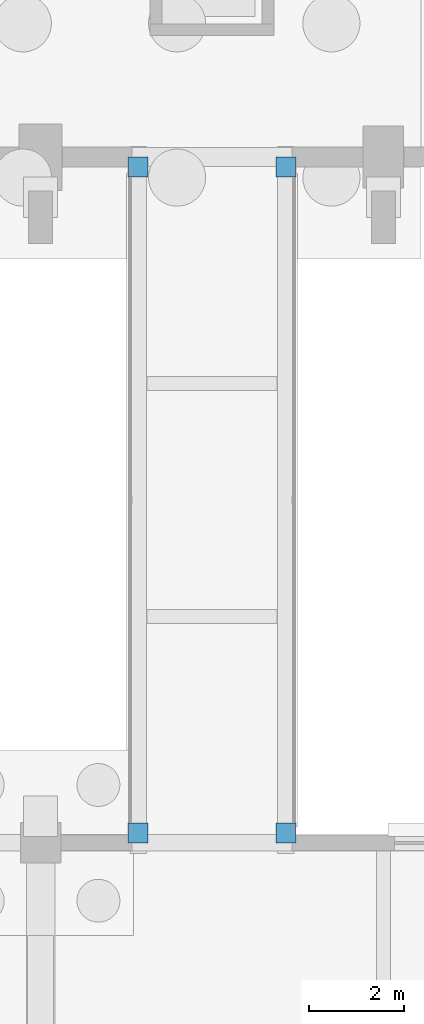
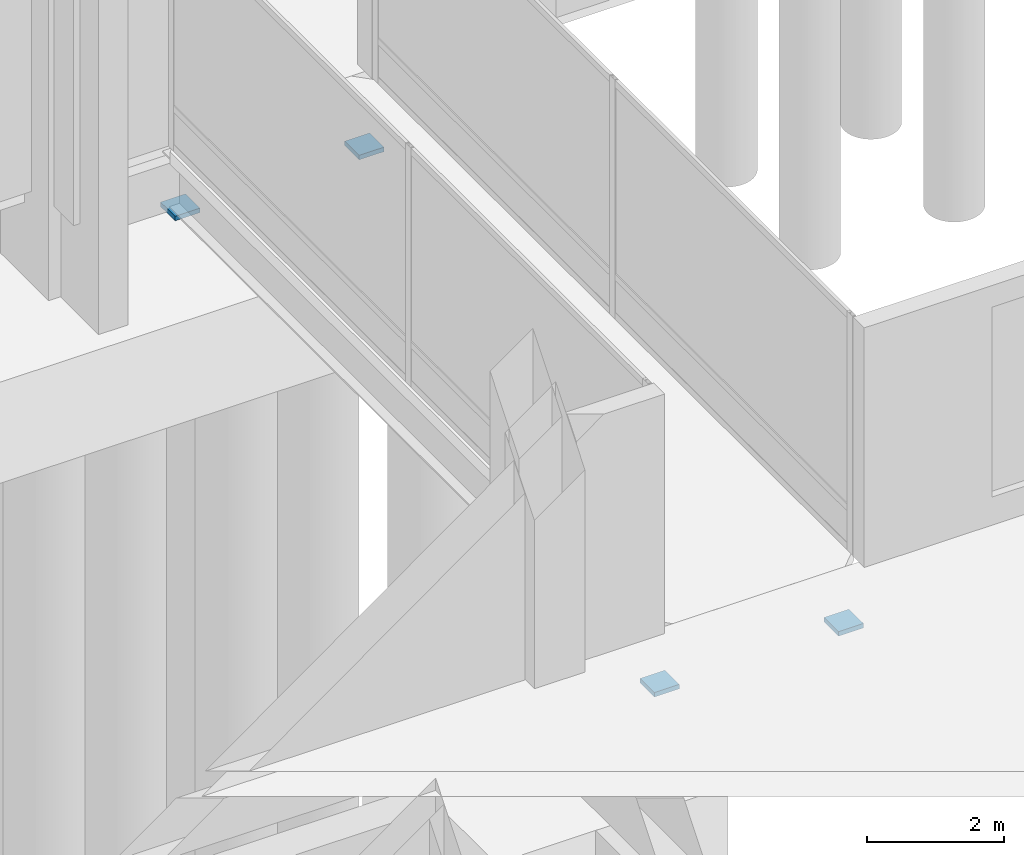
# One storey, part 155 of 192: 4 discrete accessories.
"""IFC4 building model written with IfcOpenShell, lengths in metres."""

import ifcopenshell
import ifcopenshell.guid

model = None  # the IFC model being written
_history = None  # IfcOwnerHistory: only IFC2X3 demands one
_inside = {}  # id of a spatial element -> (the spatial element, [elements in it])
_under = {}  # id of a project, library or spatial element -> (it, [spatial elements below it])
_declared = {}  # id of a project -> (the project, [libraries it declares])
_typed = {}  # id of a type object -> (the type object, [elements of that type])
_made_of = {}  # id of a material, layer set ... -> (it, [elements and type objects made of it])


def new_model(schema):
    """Start an empty IFC model of exactly this schema.

    Asked for "IFC4X3", IfcOpenShell would pick the latest addendum, in which some entities
    have other attributes; the version numbers below select the first issue.
    IFC2X3 requires an IfcOwnerHistory on every rooted entity: one is made here for all.
    """
    global model, _history
    if schema == "IFC4X3":
        model = ifcopenshell.file(schema_version=(4, 3, 0, 0))
    else:
        model = ifcopenshell.file(schema=schema)
    _inside.clear()
    _under.clear()
    _declared.clear()
    _typed.clear()
    _made_of.clear()
    _history = None
    if model.schema == "IFC2X3":
        org = make("IfcOrganization", Name="unknown")
        user = make(
            "IfcPersonAndOrganization",
            ThePerson=make("IfcPerson", FamilyName="unknown"),
            TheOrganization=org,
        )
        app = make(
            "IfcApplication",
            ApplicationDeveloper=org,
            Version="unknown",
            ApplicationFullName="unknown",
            ApplicationIdentifier="unknown",
        )
        _history = make(
            "IfcOwnerHistory",
            OwningUser=user,
            OwningApplication=app,
            ChangeAction="ADDED",
            CreationDate=0,
        )
    return model


def make(cls, **values):
    """One entity of the class cls with the attributes given. An attribute that is None is left unset."""
    return model.create_entity(
        cls, **{name: value for name, value in values.items() if value is not None}
    )


def rooted(cls, **values):
    """An entity with a GlobalId (a new one), such as an element, a storey or a relation."""
    return make(cls, GlobalId=ifcopenshell.guid.new(), OwnerHistory=_history, **values)


def si_unit(unit_type, name, prefix=None):
    """IfcSIUnit, for example si_unit("LENGTHUNIT", "METRE", prefix="MILLI")."""
    return make("IfcSIUnit", UnitType=unit_type, Prefix=prefix, Name=name)


def assignment(units):
    """IfcUnitAssignment: the units of a project."""
    return None if units is None else make("IfcUnitAssignment", Units=units)


def point(xyz):
    """IfcCartesianPoint."""
    return None if xyz is None else make("IfcCartesianPoint", Coordinates=xyz)


def direction(xyz):
    """IfcDirection."""
    return None if xyz is None else make("IfcDirection", DirectionRatios=xyz)


def frame(location, z_axis=None, x_axis=None):
    """IfcAxis2Placement3D, a coordinate frame: its origin and axes. An axis left out is left unset."""
    return make(
        "IfcAxis2Placement3D",
        Location=point(location),
        Axis=direction(z_axis),
        RefDirection=direction(x_axis),
    )


def frame_2d(location, x_axis=None):
    """IfcAxis2Placement2D, a coordinate frame in the plane: its origin and x axis."""
    return make(
        "IfcAxis2Placement2D", Location=point(location), RefDirection=direction(x_axis)
    )


def origin():
    """The frame at (0, 0, 0) with its axes left unset."""
    return frame((0.0, 0.0, 0.0))


def origin_2d():
    """The frame at (0, 0) in the plane with its x axis left unset."""
    return frame_2d((0.0, 0.0))


def place(relative_to, where):
    """IfcLocalPlacement: puts the frame where relative to a parent placement (None: the world)."""
    return make(
        "IfcLocalPlacement", PlacementRelTo=relative_to, RelativePlacement=where
    )


def context(
    kind, dimensions, precision=None, world=None, true_north=None, identifier=None
):
    """IfcGeometricRepresentationContext, for example the 3D "Model" context."""
    return make(
        "IfcGeometricRepresentationContext",
        ContextIdentifier=identifier,
        ContextType=kind,
        CoordinateSpaceDimension=dimensions,
        Precision=precision,
        WorldCoordinateSystem=world,
        TrueNorth=true_north,
    )


def subcontext(parent, identifier, kind, view, scale=None):
    """IfcGeometricRepresentationSubContext, for example "Body" below "Model"."""
    return make(
        "IfcGeometricRepresentationSubContext",
        ContextIdentifier=identifier,
        ContextType=kind,
        ParentContext=parent,
        TargetScale=scale,
        TargetView=view,
    )


def project(units=None, contexts=None):
    """IfcProject with its units and contexts."""
    return rooted(
        "IfcProject",
        Name="project",
        RepresentationContexts=contexts,
        UnitsInContext=assignment(units),
    )


def spatial(cls, under=None, at=None, **own):
    """A site, building, storey or space (cls), placed at a placement, below another one or the project."""
    s = rooted(cls, ObjectPlacement=at, **own)
    if under is not None:
        _under.setdefault(under.id(), (under, []))[1].append(s)
    return s


def profile(cls, at=None, kind="AREA", **sizes):
    """A parametric profile (cls). Its sizes go by their IFC names, for example OverallWidth=200.0."""
    return make(cls, ProfileType=kind, Position=at, **sizes)


def rectangle(**sizes):
    """IfcRectangleProfileDef."""
    return profile("IfcRectangleProfileDef", **sizes)


def extrude(swept, where, along, depth):
    """IfcExtrudedAreaSolid: the profile swept, set in the frame where, extruded along a direction by depth."""
    return make(
        "IfcExtrudedAreaSolid",
        SweptArea=swept,
        Position=where,
        ExtrudedDirection=direction(along),
        Depth=depth,
    )


def shape(context_of_items, identifier, shape_type, items):
    """IfcShapeRepresentation: the items that make up one representation, for example the "Body"."""
    return make(
        "IfcShapeRepresentation",
        ContextOfItems=context_of_items,
        RepresentationIdentifier=identifier,
        RepresentationType=shape_type,
        Items=items,
    )


def material(Name=None, Category=None):
    """IfcMaterial."""
    return make("IfcMaterial", Name=Name, Category=Category)


def made_of(thing, what):
    """Note that an element or type object is made of a material, layer set ...; save() writes the relation."""
    if what is not None:
        _made_of.setdefault(what.id(), (what, []))[1].append(thing)
    return thing


def type_object(cls, material=None, **own):
    """A type object (cls), such as IfcWallType, which elements share."""
    return made_of(rooted(cls, **own), material)


def element(
    cls,
    number,
    at=None,
    inside=None,
    cuts=None,
    type_object=None,
    material=None,
    context=None,
    identifier="Body",
    shape_type=None,
    held_by="IfcProductDefinitionShape",
    body=None,
    shapes=None,
    **own,
):
    """One element of the class cls, such as IfcWall. Its Tag is "e" and its number.

    at: its placement. inside: the storey or other place that contains it. cuts: it is an
    opening in that element (IfcRelVoidsElement). A single representation is given by context,
    identifier, shape_type and body (its items); several are given by shapes. held_by: the class
    of the entity that holds the representations. save() writes the other relations.
    """
    e = rooted(cls, Tag="e%d" % number, ObjectPlacement=at, **own)
    if body is not None:
        shapes = [shape(context, identifier, shape_type, body)]
    if shapes is not None:
        e.Representation = make(held_by, Representations=shapes)
    if inside is not None:
        _inside.setdefault(inside.id(), (inside, []))[1].append(e)
    if cuts is not None:
        rooted(
            "IfcRelVoidsElement", RelatingBuildingElement=cuts, RelatedOpeningElement=e
        )
    if type_object is not None:
        _typed.setdefault(type_object.id(), (type_object, []))[1].append(e)
    return made_of(e, material)


def aggregate(whole, parts):
    """IfcRelAggregates: a whole, such as a stair, and the parts it consists of."""
    return rooted("IfcRelAggregates", RelatingObject=whole, RelatedObjects=parts)


def save(model, path):
    """Write the relations noted so far, then the file.

    IfcRelAggregates (storeys below a building ...), IfcRelContainedInSpatialStructure (elements
    in a storey), IfcRelDefinesByType, IfcRelAssociatesMaterial and IfcRelDeclares: one each for
    every whole, place, type object, material and project.
    """
    for whole, parts in _under.values():
        aggregate(whole, parts)
    for where, things in _inside.values():
        rooted(
            "IfcRelContainedInSpatialStructure",
            RelatedElements=things,
            RelatingStructure=where,
        )
    for kind, things in _typed.values():
        rooted("IfcRelDefinesByType", RelatedObjects=things, RelatingType=kind)
    for what, things in _made_of.values():
        rooted("IfcRelAssociatesMaterial", RelatedObjects=things, RelatingMaterial=what)
    for by, libraries in _declared.values():
        rooted("IfcRelDeclares", RelatingContext=by, RelatedDefinitions=libraries)
    model.write(path)


model = new_model("IFC4")

# Units and contexts
model_context = context("Model", 3, precision=1e-05, world=origin(), true_north=direction((0.0, 1.0)))
body_context = subcontext(model_context, "Body", "Model", "MODEL_VIEW")
ifc_project = project(units=[si_unit("LENGTHUNIT", "METRE"), si_unit("AREAUNIT", "SQUARE_METRE"), si_unit("VOLUMEUNIT", "CUBIC_METRE"), si_unit("PLANEANGLEUNIT", "RADIAN"), si_unit("MASSUNIT", "GRAM", prefix="KILO")], contexts=[model_context])

# Site, building, storey
site_placement = place(None, origin())
site = spatial("IfcSite", under=ifc_project, at=site_placement, CompositionType="ELEMENT")
building_placement = place(site_placement, origin())
building = spatial("IfcBuilding", under=site, at=building_placement, Name="Cendralis Lancet Convention Centre", CompositionType="ELEMENT")
storey_placement = place(building_placement, origin())
storey = spatial("IfcBuildingStorey", under=building, at=storey_placement, Name="L00", CompositionType="ELEMENT", Elevation=0.0)

# Discrete accessories
ifc_material = material(Name="Elastomeric-PTFE sliding bridge bearing")
discrete_accessory_type = type_object("IfcDiscreteAccessoryType", Name="STR-BRG-PTFE", PredefinedType="SHOE", material=ifc_material)
for number, where, z_axis, x_axis, name in (
    (1, (16.449951171875, 36.2099609375, -1.199951171875), (0.0, 0.0, 1.0), (1.0, 0.0, 0.0), "Unguided PTFE Sliding Bridge Bearing SB-PTFE #045"),
    (2, (16.449951171875, 50.18994140625, -1.199951171875), (0.0, 0.0, 1.0), (1.0, 0.0, 0.0), "Unguided PTFE Sliding Bridge Bearing SB-PTFE #046"),
    (3, (19.550048828125, 36.2099609375, -1.199951171875), (0.0, 0.0, 1.0), (1.0, 0.0, 0.0), "Unguided PTFE Sliding Bridge Bearing SB-PTFE #047"),
    (4, (19.550048828125, 50.18994140625, -1.199951171875), (0.0, 0.0, 1.0), (1.0, 0.0, 0.0), "Unguided PTFE Sliding Bridge Bearing SB-PTFE #048"),
):
    element("IfcDiscreteAccessory", number, at=place(storey_placement, frame(where, z_axis=z_axis, x_axis=x_axis)), inside=storey, type_object=discrete_accessory_type, Name=name, PredefinedType="SHOE", context=body_context, shape_type="SweptSolid", body=[
        extrude(rectangle(XDim=0.419921875, YDim=0.419921875, at=origin_2d()), origin(), (0.0, 0.0, 1.0), 0.080078125),
    ])

save(model, "model.ifc")
